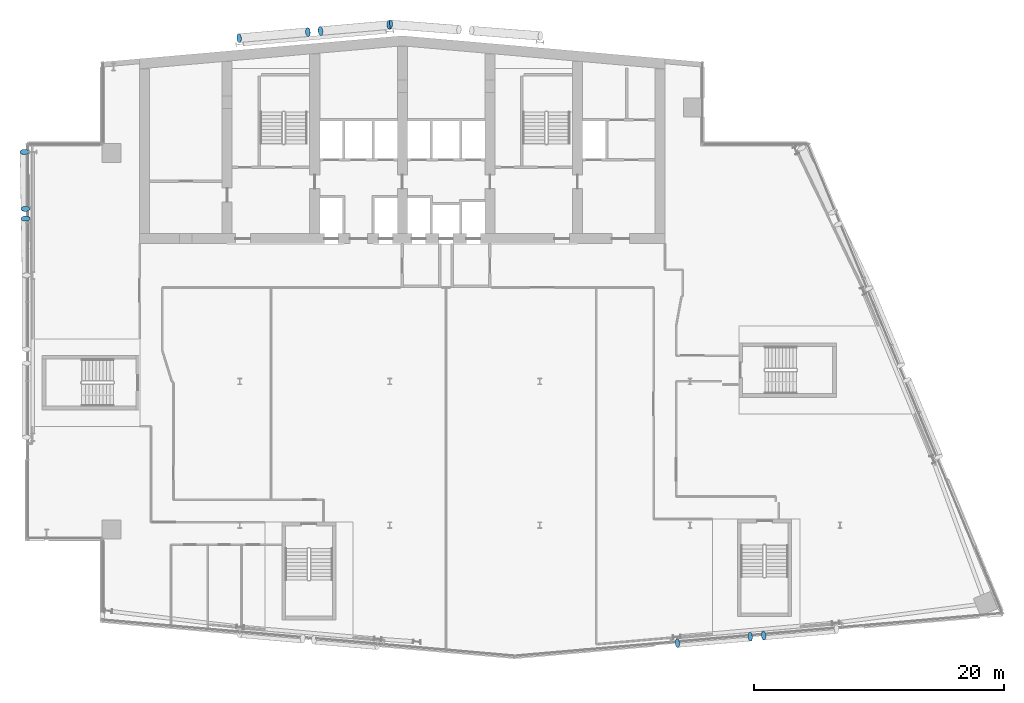
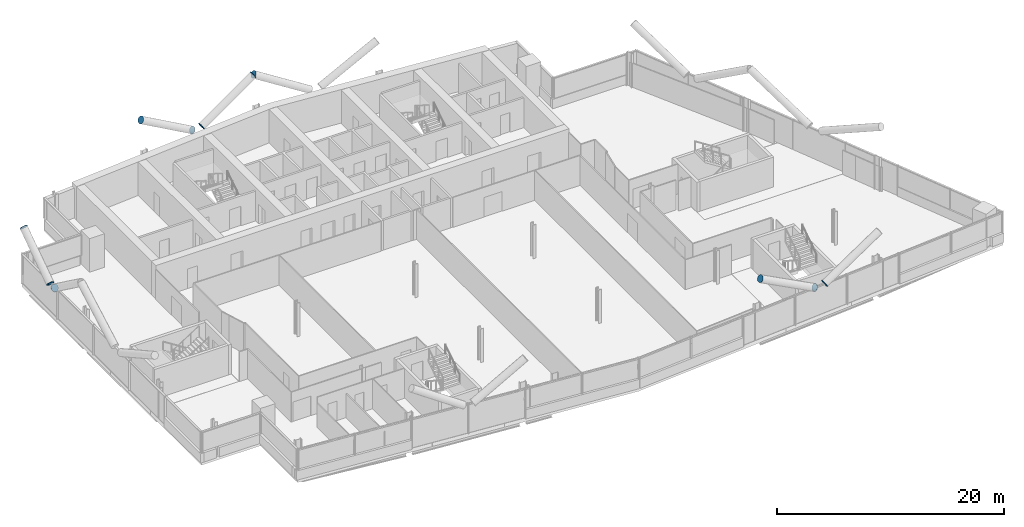
# One storey, part 21 of 26: 11 discrete accessories.
"""IFC4 building model written with IfcOpenShell, lengths in metres."""

from ifc_helpers import new_model, si_unit, direction, frame, origin, origin_2d, place, context, subcontext, project, spatial, circle, extrude, material, material_profile, profile_set, type_object, element, save


model = new_model("IFC4")

# Units and contexts
model_context = context("Model", 3, precision=1e-05, world=origin(), true_north=direction((0.0, 1.0)))
body_context = subcontext(model_context, "Body", "Model", "MODEL_VIEW")
ifc_project = project(units=[si_unit("LENGTHUNIT", "METRE"), si_unit("AREAUNIT", "SQUARE_METRE"), si_unit("VOLUMEUNIT", "CUBIC_METRE"), si_unit("PLANEANGLEUNIT", "RADIAN"), si_unit("MASSUNIT", "GRAM", prefix="KILO")], contexts=[model_context])

# Site, building, storey
site_placement = place(None, origin())
site = spatial("IfcSite", under=ifc_project, at=site_placement, CompositionType="ELEMENT")
building_placement = place(site_placement, origin())
building = spatial("IfcBuilding", under=site, at=building_placement, Name="Wharfspan Tower", CompositionType="ELEMENT")
storey_placement = place(building_placement, frame((0.0, 0.0, 180.699951)))
storey = spatial("IfcBuildingStorey", under=building, at=storey_placement, Name="L44", CompositionType="ELEMENT", Elevation=180.699951)

# Discrete accessories
ifc_material = material(Name="Steel S460NH", Category="steel")
ifc_material_profile = material_profile(ifc_material, circle(Radius=0.355469, at=origin_2d()))
ifc_profile_set = profile_set([ifc_material_profile], Name="Steel S460NH")
discrete_accessory_type = type_object("IfcDiscreteAccessoryType", Name="End plate CHS 711x36", PredefinedType="BRACKET", material=ifc_profile_set)
for number, where, z_axis, x_axis, name in (
    (1, (65.88916, 2.672852, 3.202637), (0.871847, 0.072654, 0.484359), (-0.083044, 0.996547, -3e-06), "End plate CHS 711x36"),
    (2, (64.821533, 2.579346, 3.202637), (-0.871847, -0.072654, 0.484359), (0.083044, -0.996547, -3e-06), "End plate CHS 711x36"),
    (3, (59.004883, 2.070557, 6.5), (-0.871847, -0.072654, 0.484359), (0.083044, -0.996547, -3e-06), "End plate CHS 711x36"),
    (4, (6.872559, 36.01709, 3.179443), (0.0245, -0.808493, 0.587995), (0.999537, 0.03029, 1e-06), "End plate CHS 711x36"),
):
    element("IfcDiscreteAccessory", number, at=place(storey_placement, frame(where, z_axis=z_axis, x_axis=x_axis)), inside=storey, type_object=discrete_accessory_type, Name=name, PredefinedType="BRACKET", context=body_context, shape_type="SweptSolid", body=[
        extrude(circle(Radius=0.355469, at=origin_2d()), origin(), (0.0, 0.0, 1.0), 0.01001),
    ])
discrete_accessory_placement = place(storey_placement, frame((6.860352, 36.782471, 3.179443), z_axis=(0.0, 0.816968, 0.576683), x_axis=(-1.0, 0.0, 0.0)))
element("IfcDiscreteAccessory", 5, at=discrete_accessory_placement, inside=storey, type_object=discrete_accessory_type, Name="End plate CHS 711x36", PredefinedType="BRACKET", context=body_context, shape_type="SweptSolid", body=[
    extrude(circle(Radius=0.355469, at=origin_2d()), origin(), (0.0, 0.0, 1.0), 0.010254),
])
for number, where, z_axis, x_axis, name in (
    (6, (6.788086, 41.333008, 6.5), (-0.0245, 0.808493, 0.587995), (-0.999537, -0.03029, 1e-06), "End plate CHS 711x36"),
    (7, (30.452881, 51.006348, 3.197998), (0.855186, 0.073302, 0.513112), (-0.085402, 0.996345, 1e-06), "End plate CHS 711x36"),
    (8, (35.956299, 51.487793, 6.5), (0.855186, 0.073302, 0.513112), (-0.085402, 0.996345, 1e-06), "End plate CHS 711x36"),
    (9, (29.459473, 50.919434, 3.197998), (-0.855186, -0.073302, 0.513112), (0.085402, -0.996345, 1e-06), "End plate CHS 711x36"),
    (10, (23.956299, 50.437988, 6.5), (-0.855186, -0.073302, 0.513112), (0.085402, -0.996345, 1e-06), "End plate CHS 711x36"),
    (11, (36.039795, 51.53418, 6.5), (-0.856465, 0.048941, 0.513879), (-0.05705, -0.998372, 0.0), "End plate CHS 711x36"),
):
    element("IfcDiscreteAccessory", number, at=place(storey_placement, frame(where, z_axis=z_axis, x_axis=x_axis)), inside=storey, type_object=discrete_accessory_type, Name=name, PredefinedType="BRACKET", context=body_context, shape_type="SweptSolid", body=[
        extrude(circle(Radius=0.355469, at=origin_2d()), origin(), (0.0, 0.0, 1.0), 0.01001),
    ])

save(model, "model.ifc")
